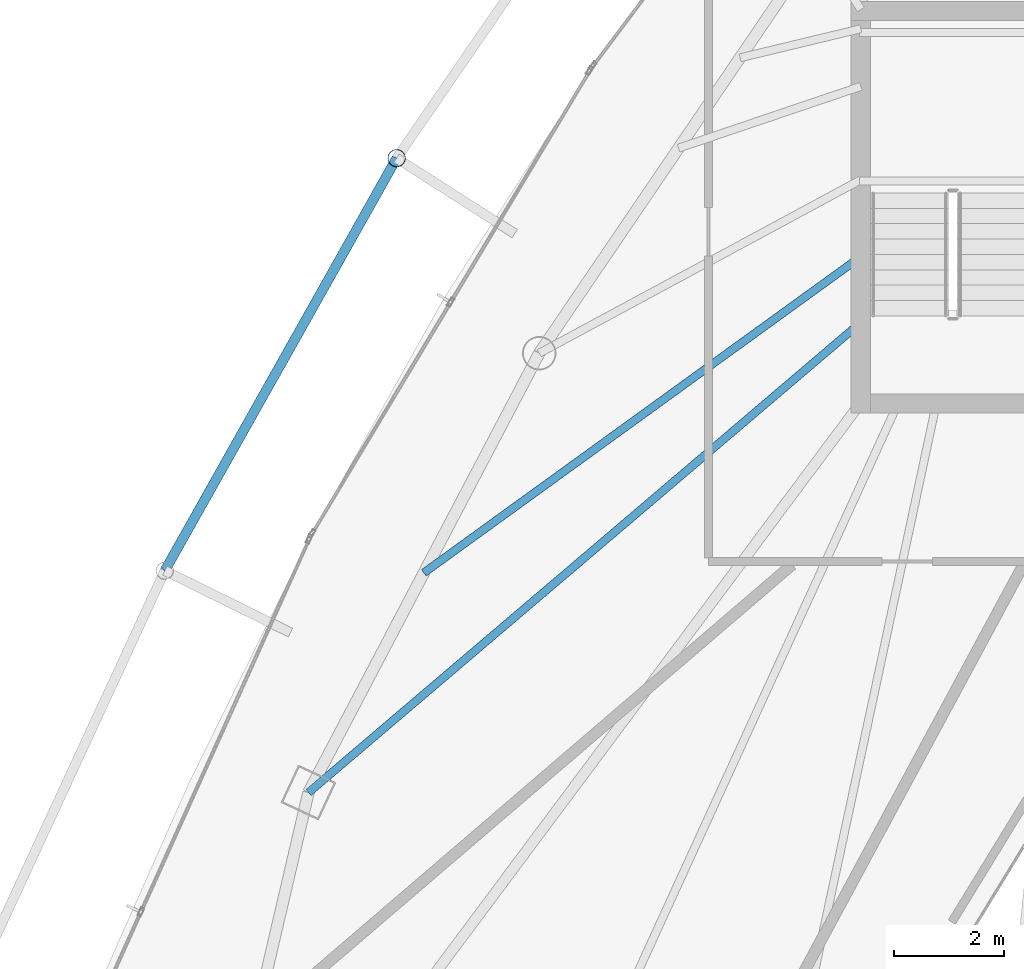
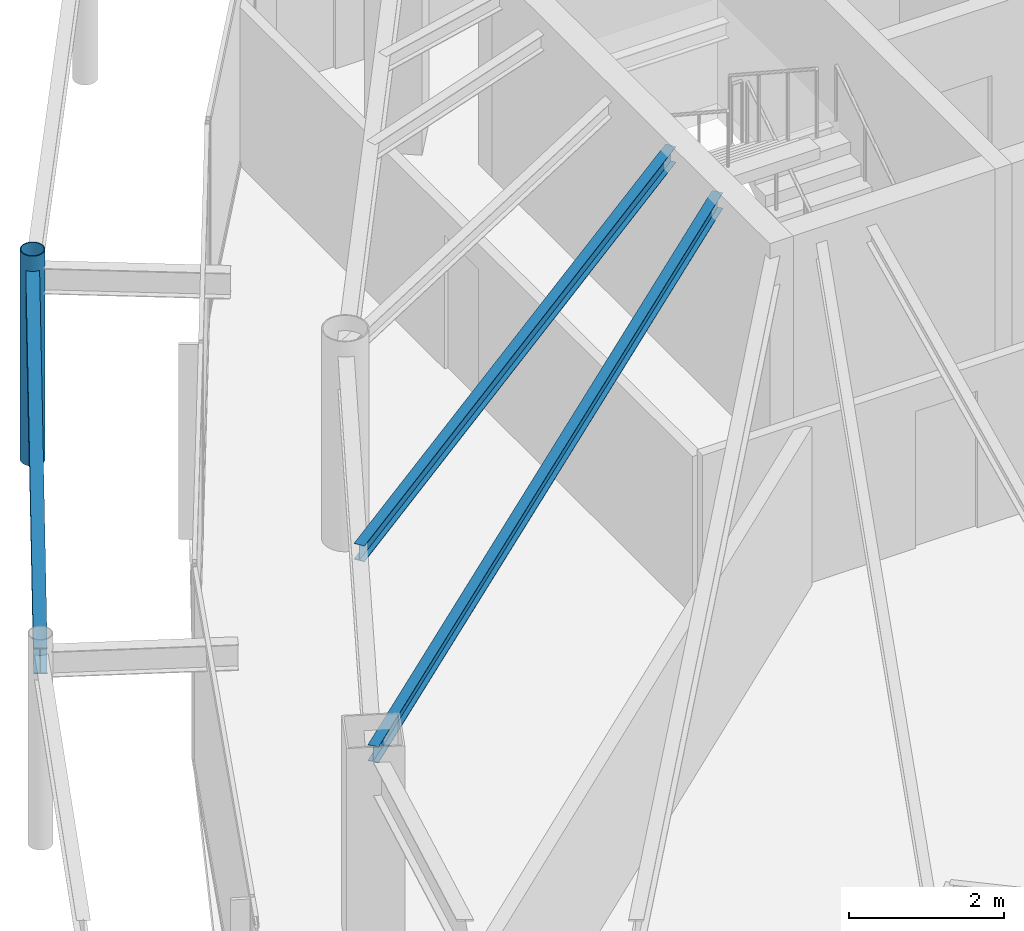
# One storey, part 11 of 30: 3 beams, 1 member.
"""IFC4 building model written with IfcOpenShell, lengths in metres."""

from ifc_helpers import new_model, si_unit, direction, frame, origin, origin_2d, place, context, subcontext, project, spatial, hollow_circle, i_section, extrude, material, material_profile, profile_set, type_object, element, save


model = new_model("IFC4")

# Units and contexts
model_context = context("Model", 3, precision=1e-05, world=origin(), true_north=direction((0.0, 1.0)))
body_context = subcontext(model_context, "Body", "Model", "MODEL_VIEW")
ifc_project = project(units=[si_unit("LENGTHUNIT", "METRE"), si_unit("AREAUNIT", "SQUARE_METRE"), si_unit("VOLUMEUNIT", "CUBIC_METRE"), si_unit("PLANEANGLEUNIT", "RADIAN"), si_unit("MASSUNIT", "GRAM", prefix="KILO")], contexts=[model_context])

# Site, building, storey
site_placement = place(None, origin())
site = spatial("IfcSite", under=ifc_project, at=site_placement, CompositionType="ELEMENT")
building_placement = place(site_placement, origin())
building = spatial("IfcBuilding", under=site, at=building_placement, Name="Orvanel Arch Residences", CompositionType="ELEMENT")
storey_placement = place(building_placement, frame((0.0, 0.0, 226.10009765625)))
storey = spatial("IfcBuildingStorey", under=building, at=storey_placement, Name="L64", CompositionType="ELEMENT", Elevation=226.10009765625)

# Beams
ifc_material_1 = material(Name="Structural steel AS/NZS 3679.1 Grade 300 (300 MPa)", Category="steel")
ifc_material_profile_1 = material_profile(ifc_material_1, i_section(OverallWidth=0.14599609375, OverallDepth=0.251953125, WebThickness=0.006103515625, FlangeThickness=0.008544921875, at=origin_2d()), Name="250UB31.4")
ifc_profile_set_1 = profile_set([ifc_material_profile_1], Name="Structural steel AS/NZS 3679.1 Grade 300 (300 MPa)")
beam_type_1 = type_object("IfcBeamType", Name="BJ-250UB", PredefinedType="JOIST", material=ifc_profile_set_1)
beam_1_placement = place(storey_placement, frame((26.425048828125, 28.199951171875, 2.933837890625), z_axis=(-0.761622669031, -0.64802076357, 0.0), x_axis=(0.64802076357, -0.761622669031, 0.0)))
element("IfcBeam", 1, at=beam_1_placement, inside=storey, type_object=beam_type_1, Name="L64 W Wing Floor Joist", PredefinedType="JOIST", context=body_context, shape_type="SweptSolid", body=[
    extrude(i_section(OverallWidth=0.14599609375, OverallDepth=0.251953125, WebThickness=0.006103515625, FlangeThickness=0.008544921875, at=origin_2d()), origin(), (0.0, 0.0, 1.0), 13.2060546875),
])
beam_2_placement = place(storey_placement, frame((26.425048828125, 29.39990234375, 2.933837890625), z_axis=(-0.810144032972, -0.586230881002, 0.0), x_axis=(0.586230881002, -0.810144032972, 0.0)))
element("IfcBeam", 2, at=beam_2_placement, inside=storey, type_object=beam_type_1, Name="L64 CTW Wing Floor Joist", PredefinedType="JOIST", context=body_context, shape_type="SweptSolid", body=[
    extrude(i_section(OverallWidth=0.14599609375, OverallDepth=0.251953125, WebThickness=0.006103515625, FlangeThickness=0.008544921875, at=origin_2d()), origin(), (0.0, 0.0, 1.0), 9.82177734375),
])
ifc_material_profile_2 = material_profile(ifc_material_1, i_section(OverallWidth=0.177978515625, OverallDepth=0.406005859375, WebThickness=0.0078125, FlangeThickness=0.0126953125, at=origin_2d()), Name="410UB59.7")
ifc_profile_set_2 = profile_set([ifc_material_profile_2], Name="Structural steel AS/NZS 3679.1 Grade 300 (300 MPa)")
beam_type_2 = type_object("IfcBeamType", Name="OB-410UB-EXT", PredefinedType="SPANDREL", material=ifc_profile_set_2)
beam_3_placement = place(storey_placement, frame((17.972900390625, 31.193115234375, 2.85693359375), z_axis=(-0.489897960455, -0.871779782022, 0.0), x_axis=(0.871779782022, -0.489897960455, 0.0)))
element("IfcBeam", 3, at=beam_3_placement, inside=storey, type_object=beam_type_2, Name="L64 Outer Perimeter Floor Ring Beam 02", PredefinedType="SPANDREL", context=body_context, shape_type="SweptSolid", body=[
    extrude(i_section(OverallWidth=0.177978515625, OverallDepth=0.406005859375, WebThickness=0.0078125, FlangeThickness=0.0126953125, at=origin_2d()), origin(), (0.0, 0.0, 1.0), 8.615966796875),
])

# Member
ifc_material_2 = material(Name="Structural steel AS/NZS 1163 C350L0 (Grade 350)", Category="steel")
ifc_material_profile_3 = material_profile(ifc_material_2, hollow_circle(Radius=0.162109375, WallThickness=0.0126953125, at=origin_2d()), Name="CHS324x12.7")
ifc_profile_set_3 = profile_set([ifc_material_profile_3], Name="Structural steel AS/NZS 1163 C350L0 (Grade 350)")
member_type = type_object("IfcMemberType", Name="ST-324CHS-EXT", PredefinedType="STRUT", material=ifc_profile_set_3)
member_placement = place(storey_placement, frame((17.972900390625, 31.193115234375, 0.0), z_axis=(0.0, 0.0, 1.0), x_axis=(1.0, 0.0, 0.0)))
element("IfcMember", 4, at=member_placement, inside=storey, type_object=member_type, Name="L64 Outer Perimeter Frame Post 02", PredefinedType="STRUT", context=body_context, shape_type="SweptSolid", body=[
    extrude(hollow_circle(Radius=0.162109375, WallThickness=0.0126953125, at=origin_2d()), origin(), (0.0, 0.0, 1.0), 3.2998046875),
])

save(model, "model.ifc")
